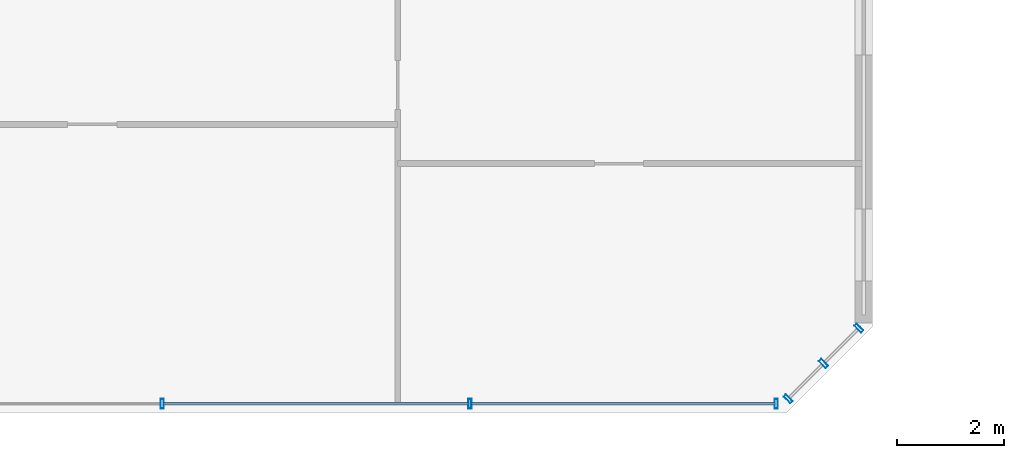
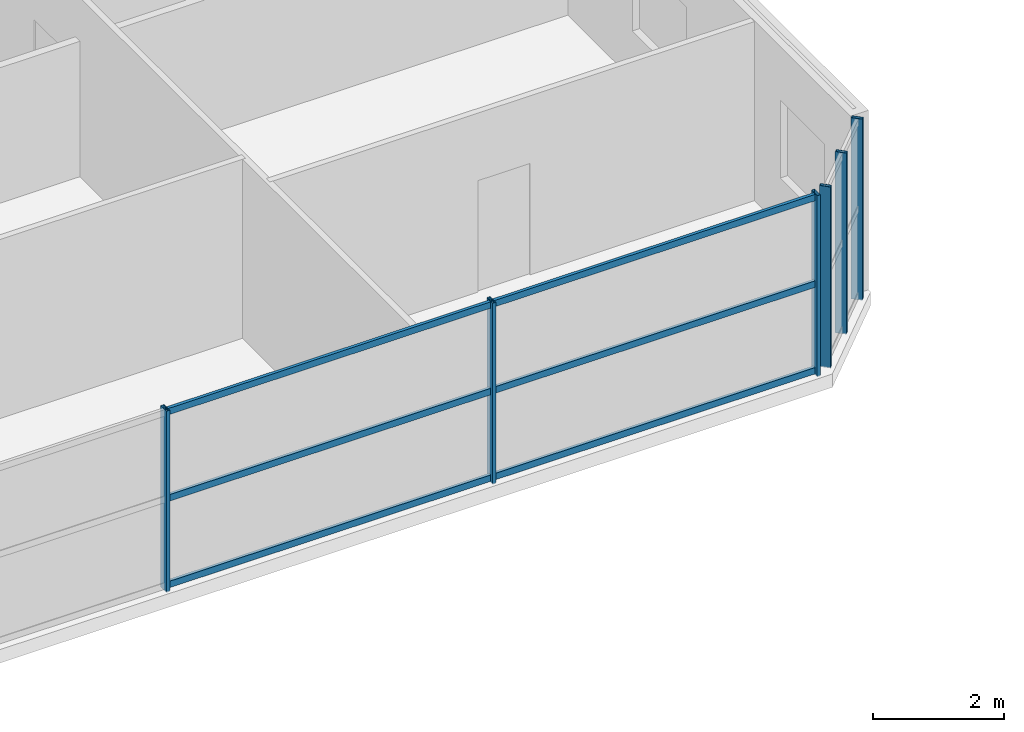
# One storey, part 6 of 21: 12 members, 2 elements without a shape of their own.
"""IFC4 building model written with IfcOpenShell, lengths in metres."""

import ifcopenshell
import ifcopenshell.guid

model = None  # the IFC model being written
_history = None  # IfcOwnerHistory: only IFC2X3 demands one
_inside = {}  # id of a spatial element -> (the spatial element, [elements in it])
_under = {}  # id of a project, library or spatial element -> (it, [spatial elements below it])
_declared = {}  # id of a project -> (the project, [libraries it declares])
_typed = {}  # id of a type object -> (the type object, [elements of that type])
_made_of = {}  # id of a material, layer set ... -> (it, [elements and type objects made of it])


def new_model(schema):
    """Start an empty IFC model of exactly this schema.

    Asked for "IFC4X3", IfcOpenShell would pick the latest addendum, in which some entities
    have other attributes; the version numbers below select the first issue.
    IFC2X3 requires an IfcOwnerHistory on every rooted entity: one is made here for all.
    """
    global model, _history
    if schema == "IFC4X3":
        model = ifcopenshell.file(schema_version=(4, 3, 0, 0))
    else:
        model = ifcopenshell.file(schema=schema)
    _inside.clear()
    _under.clear()
    _declared.clear()
    _typed.clear()
    _made_of.clear()
    _history = None
    if model.schema == "IFC2X3":
        org = make("IfcOrganization", Name="unknown")
        user = make(
            "IfcPersonAndOrganization",
            ThePerson=make("IfcPerson", FamilyName="unknown"),
            TheOrganization=org,
        )
        app = make(
            "IfcApplication",
            ApplicationDeveloper=org,
            Version="unknown",
            ApplicationFullName="unknown",
            ApplicationIdentifier="unknown",
        )
        _history = make(
            "IfcOwnerHistory",
            OwningUser=user,
            OwningApplication=app,
            ChangeAction="ADDED",
            CreationDate=0,
        )
    return model


def make(cls, **values):
    """One entity of the class cls with the attributes given. An attribute that is None is left unset."""
    return model.create_entity(
        cls, **{name: value for name, value in values.items() if value is not None}
    )


def rooted(cls, **values):
    """An entity with a GlobalId (a new one), such as an element, a storey or a relation."""
    return make(cls, GlobalId=ifcopenshell.guid.new(), OwnerHistory=_history, **values)


def si_unit(unit_type, name, prefix=None):
    """IfcSIUnit, for example si_unit("LENGTHUNIT", "METRE", prefix="MILLI")."""
    return make("IfcSIUnit", UnitType=unit_type, Prefix=prefix, Name=name)


def assignment(units):
    """IfcUnitAssignment: the units of a project."""
    return None if units is None else make("IfcUnitAssignment", Units=units)


def point(xyz):
    """IfcCartesianPoint."""
    return None if xyz is None else make("IfcCartesianPoint", Coordinates=xyz)


def direction(xyz):
    """IfcDirection."""
    return None if xyz is None else make("IfcDirection", DirectionRatios=xyz)


def frame(location, z_axis=None, x_axis=None):
    """IfcAxis2Placement3D, a coordinate frame: its origin and axes. An axis left out is left unset."""
    return make(
        "IfcAxis2Placement3D",
        Location=point(location),
        Axis=direction(z_axis),
        RefDirection=direction(x_axis),
    )


def frame_2d(location, x_axis=None):
    """IfcAxis2Placement2D, a coordinate frame in the plane: its origin and x axis."""
    return make(
        "IfcAxis2Placement2D", Location=point(location), RefDirection=direction(x_axis)
    )


def origin():
    """The frame at (0, 0, 0) with its axes left unset."""
    return frame((0.0, 0.0, 0.0))


def origin_2d():
    """The frame at (0, 0) in the plane with its x axis left unset."""
    return frame_2d((0.0, 0.0))


def place(relative_to, where):
    """IfcLocalPlacement: puts the frame where relative to a parent placement (None: the world)."""
    return make(
        "IfcLocalPlacement", PlacementRelTo=relative_to, RelativePlacement=where
    )


def context(
    kind, dimensions, precision=None, world=None, true_north=None, identifier=None
):
    """IfcGeometricRepresentationContext, for example the 3D "Model" context."""
    return make(
        "IfcGeometricRepresentationContext",
        ContextIdentifier=identifier,
        ContextType=kind,
        CoordinateSpaceDimension=dimensions,
        Precision=precision,
        WorldCoordinateSystem=world,
        TrueNorth=true_north,
    )


def subcontext(parent, identifier, kind, view, scale=None):
    """IfcGeometricRepresentationSubContext, for example "Body" below "Model"."""
    return make(
        "IfcGeometricRepresentationSubContext",
        ContextIdentifier=identifier,
        ContextType=kind,
        ParentContext=parent,
        TargetScale=scale,
        TargetView=view,
    )


def project(units=None, contexts=None):
    """IfcProject with its units and contexts."""
    return rooted(
        "IfcProject",
        Name="project",
        RepresentationContexts=contexts,
        UnitsInContext=assignment(units),
    )


def spatial(cls, under=None, at=None, **own):
    """A site, building, storey or space (cls), placed at a placement, below another one or the project."""
    s = rooted(cls, ObjectPlacement=at, **own)
    if under is not None:
        _under.setdefault(under.id(), (under, []))[1].append(s)
    return s


def profile(cls, at=None, kind="AREA", **sizes):
    """A parametric profile (cls). Its sizes go by their IFC names, for example OverallWidth=200.0."""
    return make(cls, ProfileType=kind, Position=at, **sizes)


def hollow_rectangle(**sizes):
    """IfcRectangleHollowProfileDef."""
    return profile("IfcRectangleHollowProfileDef", **sizes)


def extrude(swept, where, along, depth):
    """IfcExtrudedAreaSolid: the profile swept, set in the frame where, extruded along a direction by depth."""
    return make(
        "IfcExtrudedAreaSolid",
        SweptArea=swept,
        Position=where,
        ExtrudedDirection=direction(along),
        Depth=depth,
    )


def shape(context_of_items, identifier, shape_type, items):
    """IfcShapeRepresentation: the items that make up one representation, for example the "Body"."""
    return make(
        "IfcShapeRepresentation",
        ContextOfItems=context_of_items,
        RepresentationIdentifier=identifier,
        RepresentationType=shape_type,
        Items=items,
    )


def source(mapping_origin, context_of_items, identifier, shape_type, items):
    """IfcRepresentationMap: a shape defined once, which mapped items show again and again."""
    return make(
        "IfcRepresentationMap",
        MappingOrigin=mapping_origin,
        MappedRepresentation=shape(context_of_items, identifier, shape_type, items),
    )


def transform(
    local_origin,
    x_axis=None,
    y_axis=None,
    z_axis=None,
    scale=None,
    scale2=None,
    scale3=None,
    uniform=True,
):
    """IfcCartesianTransformationOperator3D, or its non-uniform kind. x_axis, y_axis, z_axis: its Axis1, 2, 3."""
    if uniform:
        return make(
            "IfcCartesianTransformationOperator3D",
            Axis1=direction(x_axis),
            Axis2=direction(y_axis),
            LocalOrigin=point(local_origin),
            Scale=scale,
            Axis3=direction(z_axis),
        )
    return make(
        "IfcCartesianTransformationOperator3DnonUniform",
        Axis1=direction(x_axis),
        Axis2=direction(y_axis),
        LocalOrigin=point(local_origin),
        Scale=scale,
        Axis3=direction(z_axis),
        Scale2=scale2,
        Scale3=scale3,
    )


def mapped(mapping_source, mapping_target):
    """IfcMappedItem: shows the shape of a source again, moved by a transform."""
    return make(
        "IfcMappedItem", MappingSource=mapping_source, MappingTarget=mapping_target
    )


def material(Name=None, Category=None):
    """IfcMaterial."""
    return make("IfcMaterial", Name=Name, Category=Category)


def material_profile(
    of_material, cross_section, Name=None, Category=None, Priority=None
):
    """IfcMaterialProfile: a cross section and its material."""
    return make(
        "IfcMaterialProfile",
        Name=Name,
        Material=of_material,
        Profile=cross_section,
        Priority=Priority,
        Category=Category,
    )


def profile_set(profiles, Name=None, composite=None):
    """IfcMaterialProfileSet."""
    return make(
        "IfcMaterialProfileSet",
        Name=Name,
        MaterialProfiles=profiles,
        CompositeProfile=composite,
    )


def made_of(thing, what):
    """Note that an element or type object is made of a material, layer set ...; save() writes the relation."""
    if what is not None:
        _made_of.setdefault(what.id(), (what, []))[1].append(thing)
    return thing


def type_object(cls, material=None, **own):
    """A type object (cls), such as IfcWallType, which elements share."""
    return made_of(rooted(cls, **own), material)


def element(
    cls,
    number,
    at=None,
    inside=None,
    cuts=None,
    type_object=None,
    material=None,
    context=None,
    identifier="Body",
    shape_type=None,
    held_by="IfcProductDefinitionShape",
    body=None,
    shapes=None,
    **own,
):
    """One element of the class cls, such as IfcWall. Its Tag is "e" and its number.

    at: its placement. inside: the storey or other place that contains it. cuts: it is an
    opening in that element (IfcRelVoidsElement). A single representation is given by context,
    identifier, shape_type and body (its items); several are given by shapes. held_by: the class
    of the entity that holds the representations. save() writes the other relations.
    """
    e = rooted(cls, Tag="e%d" % number, ObjectPlacement=at, **own)
    if body is not None:
        shapes = [shape(context, identifier, shape_type, body)]
    if shapes is not None:
        e.Representation = make(held_by, Representations=shapes)
    if inside is not None:
        _inside.setdefault(inside.id(), (inside, []))[1].append(e)
    if cuts is not None:
        rooted(
            "IfcRelVoidsElement", RelatingBuildingElement=cuts, RelatedOpeningElement=e
        )
    if type_object is not None:
        _typed.setdefault(type_object.id(), (type_object, []))[1].append(e)
    return made_of(e, material)


def aggregate(whole, parts):
    """IfcRelAggregates: a whole, such as a stair, and the parts it consists of."""
    return rooted("IfcRelAggregates", RelatingObject=whole, RelatedObjects=parts)


def save(model, path):
    """Write the relations noted so far, then the file.

    IfcRelAggregates (storeys below a building ...), IfcRelContainedInSpatialStructure (elements
    in a storey), IfcRelDefinesByType, IfcRelAssociatesMaterial and IfcRelDeclares: one each for
    every whole, place, type object, material and project.
    """
    for whole, parts in _under.values():
        aggregate(whole, parts)
    for where, things in _inside.values():
        rooted(
            "IfcRelContainedInSpatialStructure",
            RelatedElements=things,
            RelatingStructure=where,
        )
    for kind, things in _typed.values():
        rooted("IfcRelDefinesByType", RelatedObjects=things, RelatingType=kind)
    for what, things in _made_of.values():
        rooted("IfcRelAssociatesMaterial", RelatedObjects=things, RelatingMaterial=what)
    for by, libraries in _declared.values():
        rooted("IfcRelDeclares", RelatingContext=by, RelatedDefinitions=libraries)
    model.write(path)


model = new_model("IFC4")

# Units and contexts
model_context = context("Model", 3, precision=1e-05, world=origin(), true_north=direction((0.0, 1.0)))
body_context = subcontext(model_context, "Body", "Model", "MODEL_VIEW")
ifc_project = project(units=[si_unit("LENGTHUNIT", "METRE"), si_unit("AREAUNIT", "SQUARE_METRE"), si_unit("VOLUMEUNIT", "CUBIC_METRE"), si_unit("PLANEANGLEUNIT", "RADIAN"), si_unit("MASSUNIT", "GRAM", prefix="KILO")], contexts=[model_context])

# Site, building, storey
site_placement = place(None, origin())
site = spatial("IfcSite", under=ifc_project, at=site_placement, CompositionType="ELEMENT")
building_placement = place(site_placement, origin())
building = spatial("IfcBuilding", under=site, at=building_placement, Name="Tlacorven Tower", CompositionType="ELEMENT")
storey_placement = place(building_placement, frame((0.0, 0.0, 207.60009765625)))
storey = spatial("IfcBuildingStorey", under=building, at=storey_placement, Name="L52", CompositionType="ELEMENT", Elevation=207.60009765625)

# Curtain wall, members
ifc_material_1 = material(Name="Dark solar low-E double glazing in aluminium frame", Category="aluminium")
curtain_wall_type = type_object("IfcCurtainWallType", Name="CW-TWR-HIGH", PredefinedType="USERDEFINED", material=ifc_material_1)
curtain_wall_1_placement = place(storey_placement, origin())
curtain_wall_1 = element("IfcCurtainWall", 1, at=curtain_wall_1_placement, inside=storey, type_object=curtain_wall_type, Name="L52 CW-TWR-HIGH Curtain Wall 237", ObjectType="UNITISED CURTAIN WALL", PredefinedType="USERDEFINED")
ifc_material_2 = material(Name="Aluminium 6063-T6 anodised", Category="aluminium")
ifc_material_profile_1 = material_profile(ifc_material_2, hollow_rectangle(XDim=0.054931640625, YDim=0.1201171875, WallThickness=0.00341796875, at=origin_2d()), Name="ALU TRANSOM 55X120")
ifc_profile_set_1 = profile_set([ifc_material_profile_1], Name="Aluminium 6063-T6 anodised")
member_type_1 = type_object("IfcMemberType", Name="CWT-03", PredefinedType="USERDEFINED", material=ifc_profile_set_1)
shared_shape_1 = source(origin(), body_context, "Body", "SweptSolid", [
    extrude(hollow_rectangle(XDim=0.054931640625, YDim=0.1201171875, WallThickness=0.00341796875, at=origin_2d()), origin(), (0.0, 0.0, 1.0), 5.689697265625),
])
member_1_placement = place(storey_placement, frame((50.585693359375, 1.9599609375, 0.059814453125), z_axis=(-1.0, 0.0, 0.0), x_axis=(0.0, -1.0, 0.0)))
member_1 = element("IfcMember", 2, at=member_1_placement, type_object=member_type_1, Name="CW-L52-237 Transom 1", ObjectType="TRANSOM", PredefinedType="USERDEFINED", context=body_context, shape_type="MappedRepresentation", body=[
    mapped(shared_shape_1, transform((0.0, 0.0, 0.0), scale=1.0)),
])
member_2_placement = place(storey_placement, frame((50.585693359375, 1.9599609375, 1.6748046875), z_axis=(-1.0, 0.0, 0.0), x_axis=(0.0, -1.0, 0.0)))
member_2 = element("IfcMember", 3, at=member_2_placement, type_object=member_type_1, Name="CW-L52-237 Transom 2", ObjectType="TRANSOM", PredefinedType="USERDEFINED", context=body_context, shape_type="MappedRepresentation", body=[
    mapped(shared_shape_1, transform((0.0, 0.0, 0.0), scale=1.0)),
])
member_3_placement = place(storey_placement, frame((50.585693359375, 1.9599609375, 3.289794921875), z_axis=(-1.0, 0.0, 0.0), x_axis=(0.0, -1.0, 0.0)))
member_3 = element("IfcMember", 4, at=member_3_placement, type_object=member_type_1, Name="CW-L52-237 Transom 3", ObjectType="TRANSOM", PredefinedType="USERDEFINED", context=body_context, shape_type="MappedRepresentation", body=[
    mapped(shared_shape_1, transform((0.0, 0.0, 0.0), scale=1.0)),
])
shared_shape_2 = source(origin(), body_context, "Body", "SweptSolid", [
    extrude(hollow_rectangle(XDim=0.054931640625, YDim=0.1201171875, WallThickness=0.00341796875, at=origin_2d()), origin(), (0.0, 0.0, 1.0), 5.7197265625),
])
member_4_placement = place(storey_placement, frame((44.85986328125, 1.9599609375, 0.059814453125), z_axis=(-1.0, 0.0, 0.0), x_axis=(0.0, -1.0, 0.0)))
member_4 = element("IfcMember", 5, at=member_4_placement, type_object=member_type_1, Name="CW-L52-237 Transom 4", ObjectType="TRANSOM", PredefinedType="USERDEFINED", context=body_context, shape_type="MappedRepresentation", body=[
    mapped(shared_shape_2, transform((0.0, 0.0, 0.0), scale=1.0)),
])
member_5_placement = place(storey_placement, frame((44.85986328125, 1.9599609375, 1.6748046875), z_axis=(-1.0, 0.0, 0.0), x_axis=(0.0, -1.0, 0.0)))
member_5 = element("IfcMember", 6, at=member_5_placement, type_object=member_type_1, Name="CW-L52-237 Transom 5", ObjectType="TRANSOM", PredefinedType="USERDEFINED", context=body_context, shape_type="MappedRepresentation", body=[
    mapped(shared_shape_2, transform((0.0, 0.0, 0.0), scale=1.0)),
])
member_6_placement = place(storey_placement, frame((44.85986328125, 1.9599609375, 3.289794921875), z_axis=(-1.0, 0.0, 0.0), x_axis=(0.0, -1.0, 0.0)))
member_6 = element("IfcMember", 7, at=member_6_placement, type_object=member_type_1, Name="CW-L52-237 Transom 6", ObjectType="TRANSOM", PredefinedType="USERDEFINED", context=body_context, shape_type="MappedRepresentation", body=[
    mapped(shared_shape_2, transform((0.0, 0.0, 0.0), scale=1.0)),
])

curtain_wall_2_placement = place(storey_placement, origin())
curtain_wall_2 = element("IfcCurtainWall", 8, at=curtain_wall_2_placement, inside=storey, type_object=curtain_wall_type, Name="L52 CW-TWR-HIGH Curtain Wall 236", ObjectType="UNITISED CURTAIN WALL", PredefinedType="USERDEFINED")
ifc_material_profile_2 = material_profile(ifc_material_2, hollow_rectangle(XDim=0.06005859375, YDim=0.179931640625, WallThickness=0.00390625, at=origin_2d()), Name="ALU MULLION 60X180")
ifc_profile_set_2 = profile_set([ifc_material_profile_2], Name="Aluminium 6063-T6 anodised")
member_type_2 = type_object("IfcMemberType", Name="CWM-03", PredefinedType="MULLION", material=ifc_profile_set_2)
shared_shape_3 = source(origin(), body_context, "Body", "SweptSolid", [
    extrude(hollow_rectangle(XDim=0.06005859375, YDim=0.179931640625, WallThickness=0.00390625, at=origin_2d()), origin(), (0.0, 0.0, 1.0), 3.3798828125),
])
member_7_placement = place(storey_placement, frame((52.148193359375, 3.374267578125, -0.02001953125), z_axis=(0.0, 0.0, 1.0), x_axis=(-0.707106781187, -0.707106781187, 0.0)))
member_7 = element("IfcMember", 9, at=member_7_placement, type_object=member_type_2, Name="CW-L52-236 Mullion 1", PredefinedType="MULLION", context=body_context, shape_type="MappedRepresentation", body=[
    mapped(shared_shape_3, transform((0.0, 0.0, 0.0), scale=1.0)),
])
member_8_placement = place(storey_placement, frame((51.48681640625, 2.713134765625, -0.02001953125), z_axis=(0.0, 0.0, 1.0), x_axis=(-0.707106781187, -0.707106781187, 0.0)))
member_8 = element("IfcMember", 10, at=member_8_placement, type_object=member_type_2, Name="CW-L52-236 Mullion 2", PredefinedType="MULLION", context=body_context, shape_type="MappedRepresentation", body=[
    mapped(shared_shape_3, transform((0.0, 0.0, 0.0), scale=1.0)),
])
member_9_placement = place(storey_placement, frame((50.82568359375, 2.052001953125, -0.02001953125), z_axis=(0.0, 0.0, 1.0), x_axis=(-0.707106781187, -0.707106781187, 0.0)))
member_9 = element("IfcMember", 11, at=member_9_placement, type_object=member_type_2, Name="CW-L52-236 Mullion 3", PredefinedType="MULLION", context=body_context, shape_type="MappedRepresentation", body=[
    mapped(shared_shape_3, transform((0.0, 0.0, 0.0), scale=1.0)),
])
aggregate(curtain_wall_2, [member_7, member_8, member_9])

# Member
member_10_placement = place(storey_placement, frame((50.603759765625, 1.9599609375, -0.02001953125), z_axis=(0.0, 0.0, 1.0), x_axis=(-1.0, 0.0, 0.0)))
member_10 = element("IfcMember", 12, at=member_10_placement, type_object=member_type_2, Name="CW-L52-237 Mullion 1", PredefinedType="MULLION", context=body_context, shape_type="MappedRepresentation", body=[
    mapped(shared_shape_3, transform((0.0, 0.0, 0.0), scale=1.0)),
])

member_11_placement = place(storey_placement, frame((44.8779296875, 1.9599609375, -0.02001953125), z_axis=(0.0, 0.0, 1.0), x_axis=(-1.0, 0.0, 0.0)))
member_11 = element("IfcMember", 13, at=member_11_placement, type_object=member_type_2, Name="CW-L52-237 Mullion 2", PredefinedType="MULLION", context=body_context, shape_type="MappedRepresentation", body=[
    mapped(shared_shape_3, transform((0.0, 0.0, 0.0), scale=1.0)),
])

member_12_placement = place(storey_placement, frame((39.1220703125, 1.9599609375, -0.02001953125), z_axis=(0.0, 0.0, 1.0), x_axis=(-1.0, 0.0, 0.0)))
member_12 = element("IfcMember", 14, at=member_12_placement, type_object=member_type_2, Name="CW-L52-237 Mullion 3", PredefinedType="MULLION", context=body_context, shape_type="MappedRepresentation", body=[
    mapped(shared_shape_3, transform((0.0, 0.0, 0.0), scale=1.0)),
])

aggregate(curtain_wall_1, [member_10, member_11, member_12, member_1, member_2, member_3, member_4, member_5, member_6])

save(model, "model.ifc")
